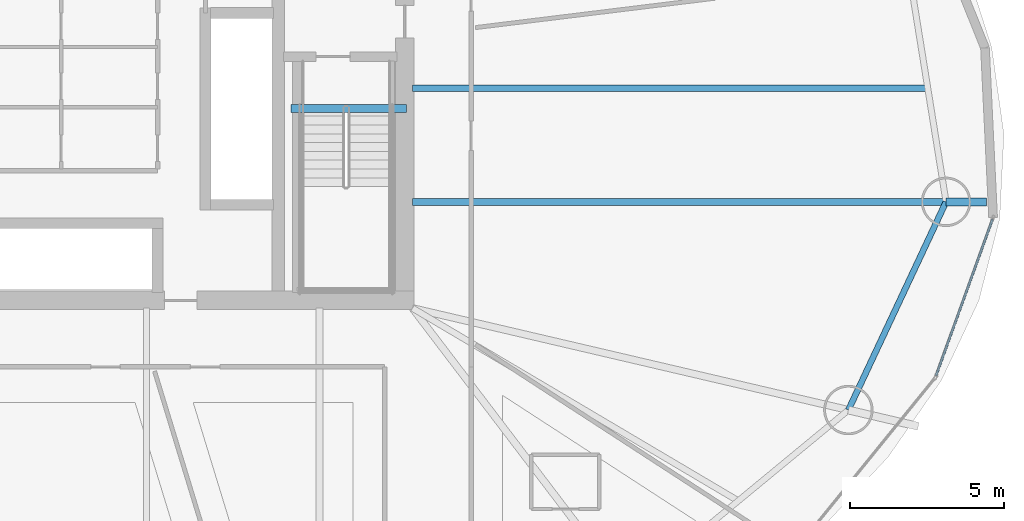
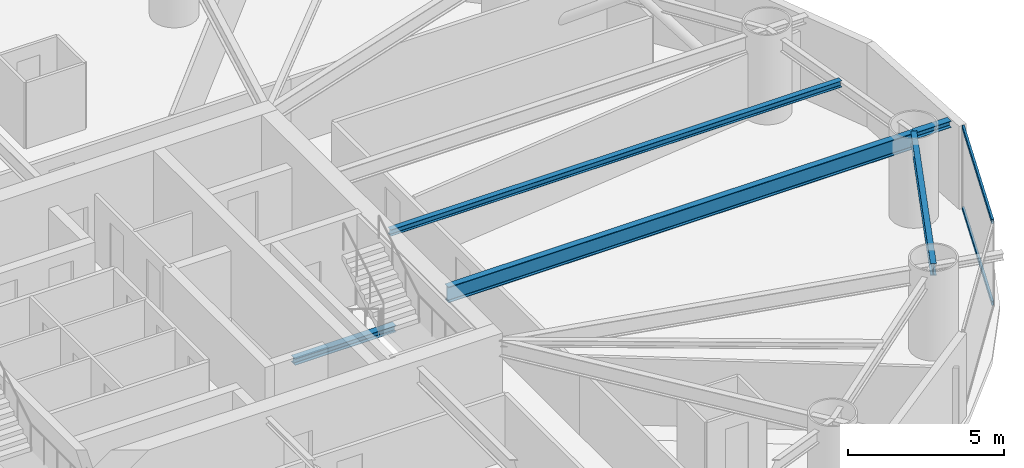
# One storey, part 8 of 23: 5 beams, 2 members, 1 element without a shape of its own.
"""IFC4 building model written with IfcOpenShell, lengths in metres."""

import ifcopenshell
import ifcopenshell.guid

model = None  # the IFC model being written
_history = None  # IfcOwnerHistory: only IFC2X3 demands one
_inside = {}  # id of a spatial element -> (the spatial element, [elements in it])
_under = {}  # id of a project, library or spatial element -> (it, [spatial elements below it])
_declared = {}  # id of a project -> (the project, [libraries it declares])
_typed = {}  # id of a type object -> (the type object, [elements of that type])
_made_of = {}  # id of a material, layer set ... -> (it, [elements and type objects made of it])


def new_model(schema):
    """Start an empty IFC model of exactly this schema.

    Asked for "IFC4X3", IfcOpenShell would pick the latest addendum, in which some entities
    have other attributes; the version numbers below select the first issue.
    IFC2X3 requires an IfcOwnerHistory on every rooted entity: one is made here for all.
    """
    global model, _history
    if schema == "IFC4X3":
        model = ifcopenshell.file(schema_version=(4, 3, 0, 0))
    else:
        model = ifcopenshell.file(schema=schema)
    _inside.clear()
    _under.clear()
    _declared.clear()
    _typed.clear()
    _made_of.clear()
    _history = None
    if model.schema == "IFC2X3":
        org = make("IfcOrganization", Name="unknown")
        user = make(
            "IfcPersonAndOrganization",
            ThePerson=make("IfcPerson", FamilyName="unknown"),
            TheOrganization=org,
        )
        app = make(
            "IfcApplication",
            ApplicationDeveloper=org,
            Version="unknown",
            ApplicationFullName="unknown",
            ApplicationIdentifier="unknown",
        )
        _history = make(
            "IfcOwnerHistory",
            OwningUser=user,
            OwningApplication=app,
            ChangeAction="ADDED",
            CreationDate=0,
        )
    return model


def make(cls, **values):
    """One entity of the class cls with the attributes given. An attribute that is None is left unset."""
    return model.create_entity(
        cls, **{name: value for name, value in values.items() if value is not None}
    )


def rooted(cls, **values):
    """An entity with a GlobalId (a new one), such as an element, a storey or a relation."""
    return make(cls, GlobalId=ifcopenshell.guid.new(), OwnerHistory=_history, **values)


def si_unit(unit_type, name, prefix=None):
    """IfcSIUnit, for example si_unit("LENGTHUNIT", "METRE", prefix="MILLI")."""
    return make("IfcSIUnit", UnitType=unit_type, Prefix=prefix, Name=name)


def assignment(units):
    """IfcUnitAssignment: the units of a project."""
    return None if units is None else make("IfcUnitAssignment", Units=units)


def point(xyz):
    """IfcCartesianPoint."""
    return None if xyz is None else make("IfcCartesianPoint", Coordinates=xyz)


def direction(xyz):
    """IfcDirection."""
    return None if xyz is None else make("IfcDirection", DirectionRatios=xyz)


def frame(location, z_axis=None, x_axis=None):
    """IfcAxis2Placement3D, a coordinate frame: its origin and axes. An axis left out is left unset."""
    return make(
        "IfcAxis2Placement3D",
        Location=point(location),
        Axis=direction(z_axis),
        RefDirection=direction(x_axis),
    )


def frame_2d(location, x_axis=None):
    """IfcAxis2Placement2D, a coordinate frame in the plane: its origin and x axis."""
    return make(
        "IfcAxis2Placement2D", Location=point(location), RefDirection=direction(x_axis)
    )


def origin():
    """The frame at (0, 0, 0) with its axes left unset."""
    return frame((0.0, 0.0, 0.0))


def origin_2d():
    """The frame at (0, 0) in the plane with its x axis left unset."""
    return frame_2d((0.0, 0.0))


def place(relative_to, where):
    """IfcLocalPlacement: puts the frame where relative to a parent placement (None: the world)."""
    return make(
        "IfcLocalPlacement", PlacementRelTo=relative_to, RelativePlacement=where
    )


def context(
    kind, dimensions, precision=None, world=None, true_north=None, identifier=None
):
    """IfcGeometricRepresentationContext, for example the 3D "Model" context."""
    return make(
        "IfcGeometricRepresentationContext",
        ContextIdentifier=identifier,
        ContextType=kind,
        CoordinateSpaceDimension=dimensions,
        Precision=precision,
        WorldCoordinateSystem=world,
        TrueNorth=true_north,
    )


def subcontext(parent, identifier, kind, view, scale=None):
    """IfcGeometricRepresentationSubContext, for example "Body" below "Model"."""
    return make(
        "IfcGeometricRepresentationSubContext",
        ContextIdentifier=identifier,
        ContextType=kind,
        ParentContext=parent,
        TargetScale=scale,
        TargetView=view,
    )


def project(units=None, contexts=None):
    """IfcProject with its units and contexts."""
    return rooted(
        "IfcProject",
        Name="project",
        RepresentationContexts=contexts,
        UnitsInContext=assignment(units),
    )


def spatial(cls, under=None, at=None, **own):
    """A site, building, storey or space (cls), placed at a placement, below another one or the project."""
    s = rooted(cls, ObjectPlacement=at, **own)
    if under is not None:
        _under.setdefault(under.id(), (under, []))[1].append(s)
    return s


def profile(cls, at=None, kind="AREA", **sizes):
    """A parametric profile (cls). Its sizes go by their IFC names, for example OverallWidth=200.0."""
    return make(cls, ProfileType=kind, Position=at, **sizes)


def hollow_rectangle(**sizes):
    """IfcRectangleHollowProfileDef."""
    return profile("IfcRectangleHollowProfileDef", **sizes)


def i_section(**sizes):
    """IfcIShapeProfileDef."""
    return profile("IfcIShapeProfileDef", **sizes)


def extrude(swept, where, along, depth):
    """IfcExtrudedAreaSolid: the profile swept, set in the frame where, extruded along a direction by depth."""
    return make(
        "IfcExtrudedAreaSolid",
        SweptArea=swept,
        Position=where,
        ExtrudedDirection=direction(along),
        Depth=depth,
    )


def shape(context_of_items, identifier, shape_type, items):
    """IfcShapeRepresentation: the items that make up one representation, for example the "Body"."""
    return make(
        "IfcShapeRepresentation",
        ContextOfItems=context_of_items,
        RepresentationIdentifier=identifier,
        RepresentationType=shape_type,
        Items=items,
    )


def material(Name=None, Category=None):
    """IfcMaterial."""
    return make("IfcMaterial", Name=Name, Category=Category)


def layer(
    of_material, thickness, ventilated=None, Name=None, Category=None, Priority=None
):
    """IfcMaterialLayer: one layer of a wall or slab, of a material (None: an air gap)."""
    return make(
        "IfcMaterialLayer",
        Material=of_material,
        LayerThickness=thickness,
        IsVentilated=ventilated,
        Name=Name,
        Category=Category,
        Priority=Priority,
    )


def layer_set(layers, Name=None):
    """IfcMaterialLayerSet."""
    return make("IfcMaterialLayerSet", MaterialLayers=layers, LayerSetName=Name)


def material_profile(
    of_material, cross_section, Name=None, Category=None, Priority=None
):
    """IfcMaterialProfile: a cross section and its material."""
    return make(
        "IfcMaterialProfile",
        Name=Name,
        Material=of_material,
        Profile=cross_section,
        Priority=Priority,
        Category=Category,
    )


def profile_set(profiles, Name=None, composite=None):
    """IfcMaterialProfileSet."""
    return make(
        "IfcMaterialProfileSet",
        Name=Name,
        MaterialProfiles=profiles,
        CompositeProfile=composite,
    )


def made_of(thing, what):
    """Note that an element or type object is made of a material, layer set ...; save() writes the relation."""
    if what is not None:
        _made_of.setdefault(what.id(), (what, []))[1].append(thing)
    return thing


def type_object(cls, material=None, **own):
    """A type object (cls), such as IfcWallType, which elements share."""
    return made_of(rooted(cls, **own), material)


def element(
    cls,
    number,
    at=None,
    inside=None,
    cuts=None,
    type_object=None,
    material=None,
    context=None,
    identifier="Body",
    shape_type=None,
    held_by="IfcProductDefinitionShape",
    body=None,
    shapes=None,
    **own,
):
    """One element of the class cls, such as IfcWall. Its Tag is "e" and its number.

    at: its placement. inside: the storey or other place that contains it. cuts: it is an
    opening in that element (IfcRelVoidsElement). A single representation is given by context,
    identifier, shape_type and body (its items); several are given by shapes. held_by: the class
    of the entity that holds the representations. save() writes the other relations.
    """
    e = rooted(cls, Tag="e%d" % number, ObjectPlacement=at, **own)
    if body is not None:
        shapes = [shape(context, identifier, shape_type, body)]
    if shapes is not None:
        e.Representation = make(held_by, Representations=shapes)
    if inside is not None:
        _inside.setdefault(inside.id(), (inside, []))[1].append(e)
    if cuts is not None:
        rooted(
            "IfcRelVoidsElement", RelatingBuildingElement=cuts, RelatedOpeningElement=e
        )
    if type_object is not None:
        _typed.setdefault(type_object.id(), (type_object, []))[1].append(e)
    return made_of(e, material)


def aggregate(whole, parts):
    """IfcRelAggregates: a whole, such as a stair, and the parts it consists of."""
    return rooted("IfcRelAggregates", RelatingObject=whole, RelatedObjects=parts)


def save(model, path):
    """Write the relations noted so far, then the file.

    IfcRelAggregates (storeys below a building ...), IfcRelContainedInSpatialStructure (elements
    in a storey), IfcRelDefinesByType, IfcRelAssociatesMaterial and IfcRelDeclares: one each for
    every whole, place, type object, material and project.
    """
    for whole, parts in _under.values():
        aggregate(whole, parts)
    for where, things in _inside.values():
        rooted(
            "IfcRelContainedInSpatialStructure",
            RelatedElements=things,
            RelatingStructure=where,
        )
    for kind, things in _typed.values():
        rooted("IfcRelDefinesByType", RelatedObjects=things, RelatingType=kind)
    for what, things in _made_of.values():
        rooted("IfcRelAssociatesMaterial", RelatedObjects=things, RelatingMaterial=what)
    for by, libraries in _declared.values():
        rooted("IfcRelDeclares", RelatingContext=by, RelatedDefinitions=libraries)
    model.write(path)


model = new_model("IFC4")

# Units and contexts
model_context = context("Model", 3, precision=1e-05, world=origin(), true_north=direction((0.0, 1.0)))
body_context = subcontext(model_context, "Body", "Model", "MODEL_VIEW")
ifc_project = project(units=[si_unit("LENGTHUNIT", "METRE"), si_unit("AREAUNIT", "SQUARE_METRE"), si_unit("VOLUMEUNIT", "CUBIC_METRE"), si_unit("PLANEANGLEUNIT", "RADIAN"), si_unit("MASSUNIT", "GRAM", prefix="KILO")], contexts=[model_context])

# Site, building, storey
site_placement = place(None, origin())
site = spatial("IfcSite", under=ifc_project, at=site_placement, CompositionType="ELEMENT")
building_placement = place(site_placement, origin())
building = spatial("IfcBuilding", under=site, at=building_placement, Name="Bramvorn Convention Spire", CompositionType="ELEMENT")
storey_placement = place(building_placement, frame((0.0, 0.0, 69.39990234375)))
storey = spatial("IfcBuildingStorey", under=building, at=storey_placement, Name="L15", CompositionType="ELEMENT", Elevation=69.39990234375)

# Beams
ifc_material_1 = material(Name="Steel CSA G40.21 Grade 350 (350W)", Category="steel")
ifc_material_profile_1 = material_profile(ifc_material_1, i_section(OverallWidth=0.201904296875, OverallDepth=0.2470703125, WebThickness=0.00732421875, FlangeThickness=0.010986328125, FilletRadius=0.011962890625, at=origin_2d()))
ifc_profile_set_1 = profile_set([ifc_material_profile_1], Name="Steel CSA G40.21 Grade 350 (350W) - W250X49")
beam_type_1 = type_object("IfcBeamType", Name="BM-W250X49", PredefinedType="JOIST", material=ifc_profile_set_1)
beam_1_placement = place(storey_placement, frame((49.25, 25.666015625, 3.126708984375), z_axis=(1.0, 0.0, 0.0), x_axis=(0.0, 1.0, 0.0)))
element("IfcBeam", 1, at=beam_1_placement, inside=storey, type_object=beam_type_1, Name="L15 composite floor joist 01", PredefinedType="JOIST", context=body_context, shape_type="SweptSolid", body=[
    extrude(i_section(OverallWidth=0.201904296875, OverallDepth=0.2470703125, WebThickness=0.00732421875, FlangeThickness=0.010986328125, FilletRadius=0.011962890625, at=origin_2d()), origin(), (0.0, 0.0, 1.0), 16.67919921875),
])
ifc_material_profile_2 = material_profile(ifc_material_1, i_section(OverallWidth=0.25390625, OverallDepth=0.2529296875, WebThickness=0.008544921875, FlangeThickness=0.01416015625, FilletRadius=0.011962890625, at=origin_2d()))
ifc_profile_set_2 = profile_set([ifc_material_profile_2], Name="Steel CSA G40.21 Grade 350 (350W) - W250X73")
beam_type_2 = type_object("IfcBeamType", Name="BM-W250X73", PredefinedType="BEAM", material=ifc_profile_set_2)
beam_2_placement = place(storey_placement, frame((66.519775390625, 21.99169921875, 3.12353515625), z_axis=(1.0, 0.0, 0.0), x_axis=(0.0, 1.0, 0.0)))
element("IfcBeam", 2, at=beam_2_placement, inside=storey, type_object=beam_type_2, Name="L15 slab-edge cantilever tip beam MC01", PredefinedType="BEAM", context=body_context, shape_type="SweptSolid", body=[
    extrude(i_section(OverallWidth=0.25390625, OverallDepth=0.2529296875, WebThickness=0.008544921875, FlangeThickness=0.01416015625, FilletRadius=0.011962890625, at=origin_2d()), origin(), (0.0, 0.0, 1.0), 1.3154296875),
])
beam_3_placement = place(storey_placement, frame((45.31005859375, 25.010009765625, -0.12646484375), z_axis=(1.0, 0.0, 0.0), x_axis=(0.0, 1.0, 0.0)))
element("IfcBeam", 3, at=beam_3_placement, inside=storey, type_object=beam_type_2, Name="L15 ST2 stair arrival header beam", PredefinedType="BEAM", context=body_context, shape_type="SweptSolid", body=[
    extrude(i_section(OverallWidth=0.25390625, OverallDepth=0.2529296875, WebThickness=0.008544921875, FlangeThickness=0.01416015625, FilletRadius=0.011962890625, at=origin_2d()), origin(), (0.0, 0.0, 1.0), 3.739990234375),
])
ifc_material_profile_3 = material_profile(ifc_material_1, i_section(OverallWidth=0.194091796875, OverallDepth=0.468994140625, WebThickness=0.0126953125, FlangeThickness=0.0205078125, FilletRadius=0.01806640625, at=origin_2d()))
ifc_profile_set_3 = profile_set([ifc_material_profile_3], Name="Steel CSA G40.21 Grade 350 (350W) - W460X106")
beam_type_3 = type_object("IfcBeamType", Name="BM-W460X106", PredefinedType="SPANDREL", material=ifc_profile_set_3)
beam_4_placement = place(storey_placement, frame((63.35888671875, 15.253662109375, 3.015625), z_axis=(0.424701955478, 0.9053332254, 0.0), x_axis=(-0.9053332254, 0.424701955478, 0.0)))
element("IfcBeam", 4, at=beam_4_placement, inside=storey, type_object=beam_type_3, Name="L15 mega-column ring beam 16", PredefinedType="SPANDREL", context=body_context, shape_type="SweptSolid", body=[
    extrude(i_section(OverallWidth=0.194091796875, OverallDepth=0.468994140625, WebThickness=0.0126953125, FlangeThickness=0.0205078125, FilletRadius=0.01806640625, at=origin_2d()), origin(), (0.0, 0.0, 1.0), 7.442626953125),
])
ifc_material_profile_4 = material_profile(ifc_material_1, i_section(OverallWidth=0.22998046875, OverallDepth=0.616943359375, WebThickness=0.01318359375, FlangeThickness=0.022216796875, FilletRadius=0.02001953125, at=origin_2d()))
ifc_profile_set_4 = profile_set([ifc_material_profile_4], Name="Steel CSA G40.21 Grade 350 (350W) - W610X140")
beam_type_4 = type_object("IfcBeamType", Name="BM-W610X140", PredefinedType="BEAM", material=ifc_profile_set_4)
beam_5_placement = place(storey_placement, frame((49.25, 21.99169921875, 2.941650390625), z_axis=(1.0, 0.0, 0.0), x_axis=(0.0, 1.0, 0.0)))
element("IfcBeam", 5, at=beam_5_placement, inside=storey, type_object=beam_type_4, Name="L15 radial floor girder MC01", PredefinedType="BEAM", context=body_context, shape_type="SweptSolid", body=[
    extrude(i_section(OverallWidth=0.22998046875, OverallDepth=0.616943359375, WebThickness=0.01318359375, FlangeThickness=0.022216796875, FilletRadius=0.02001953125, at=origin_2d()), origin(), (0.0, 0.0, 1.0), 17.269775390625),
])

# Curtain wall, members
ifc_material_2 = material(Name="Anodised Bronze Unitised Curtain Wall", Category="aluminium")
ifc_layer = layer(ifc_material_2, 0.179931640625)
ifc_layer_set = layer_set([ifc_layer], Name="Anodised Bronze Unitised Curtain Wall - CW-HTL-FRIT")
curtain_wall_type = type_object("IfcCurtainWallType", Name="CW-HTL-FRIT", PredefinedType="USERDEFINED", material=ifc_layer_set)
curtain_wall_placement = place(storey_placement, origin())
curtain_wall = element("IfcCurtainWall", 6, at=curtain_wall_placement, inside=storey, type_object=curtain_wall_type, Name="L15 fritted glass curtain wall 24", ObjectType="UNITISED CURTAIN WALL", PredefinedType="USERDEFINED")
ifc_material_3 = material(Name="Anodised Bronze Aluminium 6063-T6", Category="aluminium")
ifc_material_profile_5 = material_profile(ifc_material_3, hollow_rectangle(XDim=0.080078125, YDim=0.159912109375, WallThickness=0.00390625, InnerFilletRadius=0.0009765625, OuterFilletRadius=0.00390625, at=origin_2d()))
ifc_profile_set_5 = profile_set([ifc_material_profile_5], Name="Anodised Bronze Aluminium 6063-T6 - CWT80X160")
member_type = type_object("IfcMemberType", Name="CW-TRN-150", PredefinedType="USERDEFINED", material=ifc_profile_set_5)
member_1_placement = place(storey_placement, frame((68.02197265625, 21.4267578125, 0.030029296875), z_axis=(-0.339343204925, -0.940662633079, 0.0), x_axis=(0.940662633079, -0.339343204925, 0.0)))
member_1 = element("IfcMember", 7, at=member_1_placement, type_object=member_type, Name="CW2 transom 1.1", ObjectType="TRANSOM", PredefinedType="USERDEFINED", context=body_context, shape_type="SweptSolid", body=[
    extrude(hollow_rectangle(XDim=0.080078125, YDim=0.159912109375, WallThickness=0.00390625, InnerFilletRadius=0.0009765625, OuterFilletRadius=0.00390625, at=origin_2d()), origin(), (0.0, 0.0, 1.0), 5.377197265625),
])
member_2_placement = place(storey_placement, frame((68.02197265625, 21.4267578125, 3.22021484375), z_axis=(-0.339343204925, -0.940662633079, 0.0), x_axis=(0.940662633079, -0.339343204925, 0.0)))
member_2 = element("IfcMember", 8, at=member_2_placement, type_object=member_type, Name="CW2 transom 1.2", ObjectType="TRANSOM", PredefinedType="USERDEFINED", context=body_context, shape_type="SweptSolid", body=[
    extrude(hollow_rectangle(XDim=0.080078125, YDim=0.159912109375, WallThickness=0.00390625, InnerFilletRadius=0.0009765625, OuterFilletRadius=0.00390625, at=origin_2d()), origin(), (0.0, 0.0, 1.0), 5.377197265625),
])
aggregate(curtain_wall, [member_1, member_2])

save(model, "model.ifc")
